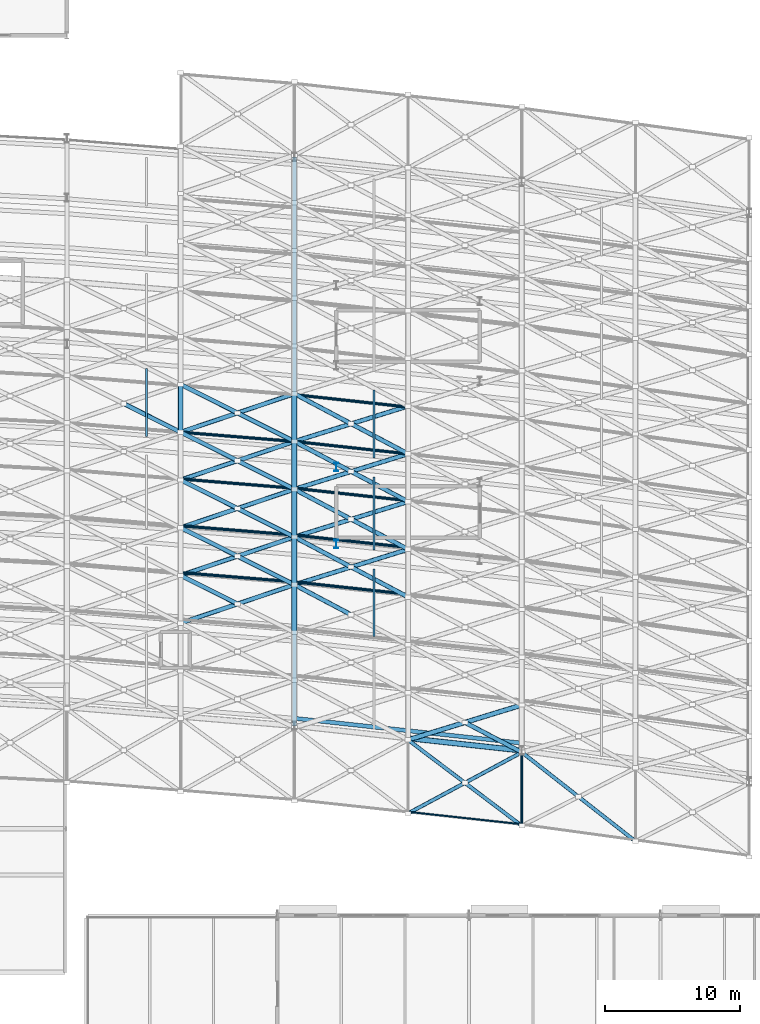
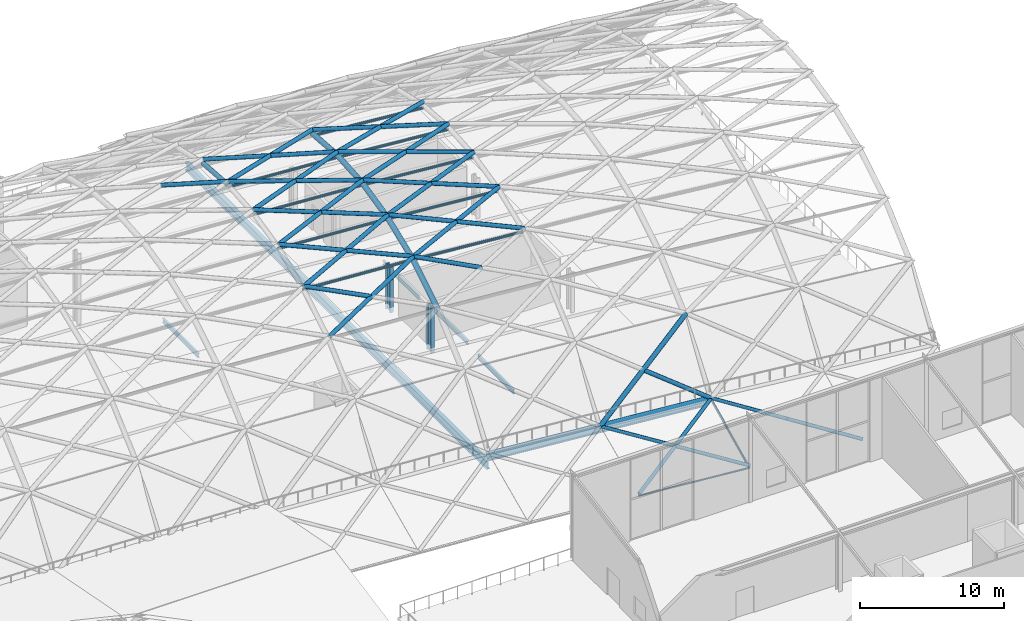
# One storey, part 52 of 100: 55 members, 6 beams.
"""IFC4 building model written with IfcOpenShell, lengths in metres."""

from ifc_helpers import new_model, si_unit, direction, frame, origin, origin_2d, place, context, subcontext, project, spatial, hollow_circle, i_section, extrude, material, material_profile, profile_set, type_object, element, save


model = new_model("IFC4")

# Units and contexts
model_context = context("Model", 3, precision=1e-05, world=origin(), true_north=direction((0.0, 1.0)))
body_context = subcontext(model_context, "Body", "Model", "MODEL_VIEW")
ifc_project = project(units=[si_unit("LENGTHUNIT", "METRE"), si_unit("AREAUNIT", "SQUARE_METRE"), si_unit("VOLUMEUNIT", "CUBIC_METRE"), si_unit("PLANEANGLEUNIT", "RADIAN"), si_unit("MASSUNIT", "GRAM", prefix="KILO")], contexts=[model_context])

# Site, building, storey
site_placement = place(None, origin())
site = spatial("IfcSite", under=ifc_project, at=site_placement, CompositionType="ELEMENT")
building_placement = place(site_placement, origin())
building = spatial("IfcBuilding", under=site, at=building_placement, Name="Kimbaza Rail Terminus", CompositionType="ELEMENT")
storey_placement = place(building_placement, frame((0.0, 0.0, 10.800048828125)))
storey = spatial("IfcBuildingStorey", under=building, at=storey_placement, Name="L02", CompositionType="ELEMENT", Elevation=10.800048828125)

# Beams
ifc_material_1 = material(Name="Steel S355", Category="steel")
ifc_material_profile_1 = material_profile(ifc_material_1, i_section(OverallWidth=0.300048828125, OverallDepth=0.64990234375, WebThickness=0.01611328125, FlangeThickness=0.031005859375, FilletRadius=0.027099609375, at=origin_2d()), Name="HEB 650")
ifc_profile_set_1 = profile_set([ifc_material_profile_1], Name="Steel S355")
beam_type_1 = type_object("IfcBeamType", Name="STR-BM-HEB650", PredefinedType="USERDEFINED", material=ifc_profile_set_1)
beam_1_placement = place(storey_placement, frame((172.944091796875, 52.539794921875, -0.5849609375), z_axis=(0.994106987183, -0.108403404165, 0.0), x_axis=(0.108403404165, 0.994106987183, 0.0)))
element("IfcBeam", 1, at=beam_1_placement, inside=storey, type_object=beam_type_1, Name="Viaduct Chorded Girder P1 Bay 10", ObjectType="GIRDER", PredefinedType="USERDEFINED", context=body_context, shape_type="SweptSolid", body=[
    extrude(i_section(OverallWidth=0.300048828125, OverallDepth=0.64990234375, WebThickness=0.01611328125, FlangeThickness=0.031005859375, FilletRadius=0.027099609375, at=origin_2d()), origin(), (0.0, 0.0, 1.0), 16.609619140625),
])
ifc_material_2 = material(Name="Steel S355", Category="steel")
ifc_material_profile_2 = material_profile(ifc_material_2, i_section(OverallWidth=0.300048828125, OverallDepth=0.699951171875, WebThickness=0.01708984375, FlangeThickness=0.031982421875, FilletRadius=0.027099609375, at=origin_2d()), Name="HEB 700")
ifc_profile_set_2 = profile_set([ifc_material_profile_2], Name="Steel S355")
beam_type_2 = type_object("IfcBeamType", Name="STR-BM-HEB700", PredefinedType="USERDEFINED", material=ifc_profile_set_2)
beam_2_placement = place(storey_placement, frame((172.800048828125, 52.00537109375, -0.920166015625), z_axis=(0.0, 1.0, 0.0), x_axis=(-1.0, 0.0, 0.0)))
element("IfcBeam", 2, at=beam_2_placement, inside=storey, type_object=beam_type_2, Name="Viaduct Pier Crosshead Girder VP-10", ObjectType="GIRDER", PredefinedType="USERDEFINED", context=body_context, shape_type="SweptSolid", body=[
    extrude(i_section(OverallWidth=0.300048828125, OverallDepth=0.699951171875, WebThickness=0.01708984375, FlangeThickness=0.031982421875, FilletRadius=0.027099609375, at=origin_2d()), origin(), (0.0, 0.0, 1.0), 42.0),
])
ifc_material_3 = material(Name="Steel S355", Category="steel")
ifc_material_profile_3 = material_profile(ifc_material_3, i_section(OverallWidth=0.169921875, OverallDepth=0.360107421875, WebThickness=0.008056640625, FlangeThickness=0.0126953125, FilletRadius=0.01806640625, at=origin_2d()), Name="IPE 360")
ifc_profile_set_3 = profile_set([ifc_material_profile_3], Name="Steel S355")
beam_type_3 = type_object("IfcBeamType", Name="STR-BM-IPE360", PredefinedType="JOIST", material=ifc_profile_set_3)
for number, where, z_axis, x_axis, name in (
    (3, (161.8798828125, 73.385498046875, -0.75), (0.0, 1.0, 0.0), (-1.0, 0.0, 0.0), "Viaduct Diaphragm TR34 Bay 09"),
    (4, (178.679931640625, 58.58447265625, -0.75), (0.0, 1.0, 0.0), (-1.0, 0.0, 0.0), "Viaduct Diaphragm TR12 Bay 10"),
):
    element("IfcBeam", number, at=place(storey_placement, frame(where, z_axis=z_axis, x_axis=x_axis)), inside=storey, type_object=beam_type_3, Name=name, PredefinedType="JOIST", context=body_context, shape_type="SweptSolid", body=[
        extrude(i_section(OverallWidth=0.169921875, OverallDepth=0.360107421875, WebThickness=0.008056640625, FlangeThickness=0.0126953125, FilletRadius=0.01806640625, at=origin_2d()), origin(), (0.0, 0.0, 1.0), 5.010009765625),
    ])
beam_3_placement = place(storey_placement, frame((178.679931640625, 64.984619140625, -0.43994140625), z_axis=(0.0, 1.0, 0.0), x_axis=(-1.0, 0.0, 0.0)))
element("IfcBeam", 5, at=beam_3_placement, inside=storey, type_object=beam_type_3, Name="Viaduct Diaphragm P2 Bay 10", PredefinedType="JOIST", context=body_context, shape_type="SweptSolid", body=[
    extrude(i_section(OverallWidth=0.169921875, OverallDepth=0.360107421875, WebThickness=0.008056640625, FlangeThickness=0.0126953125, FilletRadius=0.01806640625, at=origin_2d()), origin(), (0.0, 0.0, 1.0), 5.409912109375),
])
beam_4_placement = place(storey_placement, frame((178.679931640625, 71.784423828125, -0.75), z_axis=(0.0, 1.0, 0.0), x_axis=(-1.0, 0.0, 0.0)))
element("IfcBeam", 6, at=beam_4_placement, inside=storey, type_object=beam_type_3, Name="Viaduct Diaphragm TR34 Bay 10", PredefinedType="JOIST", context=body_context, shape_type="SweptSolid", body=[
    extrude(i_section(OverallWidth=0.169921875, OverallDepth=0.360107421875, WebThickness=0.008056640625, FlangeThickness=0.0126953125, FilletRadius=0.01806640625, at=origin_2d()), origin(), (0.0, 0.0, 1.0), 5.010009765625),
])

# Members
ifc_material_4 = material(Name="White painted steel S355", Category="steel")
ifc_material_profile_4 = material_profile(ifc_material_4, hollow_circle(Radius=0.06982421875, WallThickness=0.00634765625, at=origin_2d()), Name="CHS 139.7x6.3")
ifc_profile_set_4 = profile_set([ifc_material_profile_4], Name="White painted steel S355")
member_type_1 = type_object("IfcMemberType", Name="STR-MB-CHS139", PredefinedType="COLLAR", material=ifc_profile_set_4)
member_1_placement = place(storey_placement, frame((181.199951171875, 45.6474609375, -2.62744140625), z_axis=(0.994106819652, -0.108404940487, 0.0), x_axis=(0.108404940487, 0.994106819652, 0.0)))
element("IfcMember", 7, at=member_1_placement, inside=storey, type_object=member_type_1, Name="Vault lattice longitudinal purlin VR-19-VA00", PredefinedType="COLLAR", context=body_context, shape_type="SweptSolid", body=[
    extrude(hollow_circle(Radius=0.06982421875, WallThickness=0.00634765625, at=origin_2d()), origin(), (0.0, 0.0, 1.0), 8.449951171875),
])
ifc_material_5 = material(Name="White painted steel S355", Category="steel")
ifc_material_profile_5 = material_profile(ifc_material_5, hollow_circle(Radius=0.084228515625, WallThickness=0.00634765625, at=origin_2d()), Name="CHS 168.3x6.3")
ifc_profile_set_5 = profile_set([ifc_material_profile_5], Name="White painted steel S355")
member_type_2 = type_object("IfcMemberType", Name="STR-MB-CHS168", PredefinedType="RAFTER", material=ifc_profile_set_5)
member_2_placement = place(storey_placement, frame((189.60009765625, 44.72314453125, -2.609375), z_axis=(0.0, 0.901963905621, 0.431811432174), x_axis=(-1.0, 0.0, 0.0)))
element("IfcMember", 8, at=member_2_placement, inside=storey, type_object=member_type_2, Name="Vault lattice arch chord VR-20 seg 1", PredefinedType="RAFTER", context=body_context, shape_type="SweptSolid", body=[
    extrude(hollow_circle(Radius=0.084228515625, WallThickness=0.00634765625, at=origin_2d()), origin(), (0.0, 0.0, 1.0), 6.04296875),
])
ifc_material_6 = material(Name="White painted steel S355", Category="steel")
ifc_material_profile_6 = material_profile(ifc_material_6, hollow_circle(Radius=0.109619140625, WallThickness=0.008056640625, at=origin_2d()), Name="CHS 219.1x8")
ifc_profile_set_6 = profile_set([ifc_material_profile_6], Name="White painted steel S355")
member_type_3 = type_object("IfcMemberType", Name="STR-MB-CHS219", PredefinedType="PURLIN", material=ifc_profile_set_6)
for number, where, z_axis, x_axis, name in (
    (9, (164.39990234375, 63.319580078125, 10.078857421875), (0.996688689454, -0.081312092054, 0.0), (0.081312092054, 0.996688689454, 0.0), "Vault lattice longitudinal purlin VR-17-VA04"),
    (10, (164.39990234375, 66.776611328125, 11.462158203125), (0.996688689454, -0.081312092054, 0.0), (0.081312092054, 0.996688689454, 0.0), "Vault lattice longitudinal purlin VR-17-VA05"),
    (11, (164.39990234375, 70.233642578125, 12.25244140625), (0.996688689454, -0.081312092054, 0.0), (0.081312092054, 0.996688689454, 0.0), "Vault lattice longitudinal purlin VR-17-VA06"),
    (12, (164.39990234375, 73.690673828125, 12.510009765625), (0.996688689454, -0.081312092054, 0.0), (0.081312092054, 0.996688689454, 0.0), "Vault lattice longitudinal purlin VR-17-VA07"),
):
    element("IfcMember", number, at=place(storey_placement, frame(where, z_axis=z_axis, x_axis=x_axis)), inside=storey, type_object=member_type_3, Name=name, PredefinedType="PURLIN", context=body_context, shape_type="SweptSolid", body=[
        extrude(hollow_circle(Radius=0.109619140625, WallThickness=0.008056640625, at=origin_2d()), origin(), (0.0, 0.0, 1.0), 8.427978515625),
    ])
for number, where, z_axis, x_axis, name in (
    (13, (172.800048828125, 62.63427734375, 10.078857421875), (0.99410959352, -0.108379500241, 0.0), (0.108379500241, 0.99410959352, 0.0), "Vault lattice longitudinal purlin VR-18-VA04"),
    (14, (172.800048828125, 66.09130859375, 11.462158203125), (0.99410959352, -0.108379500241, 0.0), (0.108379500241, 0.99410959352, 0.0), "Vault lattice longitudinal purlin VR-18-VA05"),
    (15, (172.800048828125, 69.54833984375, 12.25244140625), (0.99410959352, -0.108379500241, 0.0), (0.108379500241, 0.99410959352, 0.0), "Vault lattice longitudinal purlin VR-18-VA06"),
    (16, (172.800048828125, 73.00537109375, 12.510009765625), (0.99410959352, -0.108379500241, 0.0), (0.108379500241, 0.99410959352, 0.0), "Vault lattice longitudinal purlin VR-18-VA07"),
    (17, (172.800048828125, 76.46240234375, 12.25244140625), (0.99410959352, -0.108379500241, 0.0), (0.108379500241, 0.99410959352, 0.0), "Vault lattice longitudinal purlin VR-18-VA08"),
):
    element("IfcMember", number, at=place(storey_placement, frame(where, z_axis=z_axis, x_axis=x_axis)), inside=storey, type_object=member_type_3, Name=name, PredefinedType="PURLIN", context=body_context, shape_type="SweptSolid", body=[
        extrude(hollow_circle(Radius=0.109619140625, WallThickness=0.008056640625, at=origin_2d()), origin(), (0.0, 0.0, 1.0), 8.44970703125),
    ])
ifc_material_7 = material(Name="White painted steel S355", Category="steel")
ifc_material_profile_7 = material_profile(ifc_material_7, hollow_circle(Radius=0.136474609375, WallThickness=0.010009765625, at=origin_2d()), Name="CHS 273x10")
ifc_profile_set_7 = profile_set([ifc_material_profile_7], Name="White painted steel S355")
member_type_4 = type_object("IfcMemberType", Name="STR-MB-CHS273", PredefinedType="STRUT", material=ifc_profile_set_7)
member_3_placement = place(storey_placement, frame((181.199951171875, 45.53173828125, -2.37255859375), z_axis=(0.853316558959, 0.458886746604, 0.24753546008), x_axis=(-0.473626557057, 0.880725771424, 0.0)))
element("IfcMember", 18, at=member_3_placement, inside=storey, type_object=member_type_4, Name="Vault lattice diagonal A VR-19-VA00", PredefinedType="STRUT", context=body_context, shape_type="SweptSolid", body=[
    extrude(hollow_circle(Radius=0.136474609375, WallThickness=0.010009765625, at=origin_2d()), origin(), (0.0, 0.0, 1.0), 9.843994140625),
])
member_4_placement = place(storey_placement, frame((189.60009765625, 44.61572265625, -2.37255859375), z_axis=(-0.77721198608, 0.587471789525, 0.225429424003), x_axis=(-0.602993133836, -0.797746376078, 0.0)))
element("IfcMember", 19, at=member_4_placement, inside=storey, type_object=member_type_4, Name="Vault lattice diagonal B1 VR-19-VA00", PredefinedType="STRUT", context=body_context, shape_type="SweptSolid", body=[
    extrude(hollow_circle(Radius=0.136474609375, WallThickness=0.010009765625, at=origin_2d()), origin(), (0.0, 0.0, 1.0), 5.404296875),
])
member_5_placement = place(storey_placement, frame((185.39990234375, 47.79052734375, -1.154296875), z_axis=(-0.77720680917, 0.587456847041, 0.225486204997), x_axis=(-0.602985929157, -0.797751821833, 0.0)))
element("IfcMember", 20, at=member_5_placement, inside=storey, type_object=member_type_4, Name="Vault lattice diagonal B2 VR-19-VA00", PredefinedType="STRUT", context=body_context, shape_type="SweptSolid", body=[
    extrude(hollow_circle(Radius=0.136474609375, WallThickness=0.010009765625, at=origin_2d()), origin(), (0.0, 0.0, 1.0), 5.40380859375),
])
for number, where, z_axis, x_axis, name in (
    (21, (198.0, 43.467041015625, -2.37255859375), (-0.767384367824, 0.601310310892, 0.222591873245), (-0.616784371104, -0.787132161432, 0.0), "Vault lattice diagonal B1 VR-20-VA00"),
    (22, (193.800048828125, 46.758056640625, -1.154296875), (-0.767376747594, 0.6013043398, 0.222634270025), (-0.616784371104, -0.787132161432, 0.0), "Vault lattice diagonal B2 VR-20-VA00"),
):
    element("IfcMember", number, at=place(storey_placement, frame(where, z_axis=z_axis, x_axis=x_axis)), inside=storey, type_object=member_type_4, Name=name, PredefinedType="STRUT", context=body_context, shape_type="SweptSolid", body=[
        extrude(hollow_circle(Radius=0.136474609375, WallThickness=0.010009765625, at=origin_2d()), origin(), (0.0, 0.0, 1.0), 5.47314453125),
    ])
ifc_material_8 = material(Name="White painted steel S355", Category="steel")
ifc_material_profile_8 = material_profile(ifc_material_8, hollow_circle(Radius=0.161865234375, WallThickness=0.010009765625, at=origin_2d()), Name="CHS 323.9x10")
ifc_profile_set_8 = profile_set([ifc_material_profile_8], Name="White painted steel S355")
member_type_5 = type_object("IfcMemberType", Name="STR-MB-CHS323", PredefinedType="STRUT", material=ifc_profile_set_8)
member_6_placement = place(storey_placement, frame((164.39990234375, 73.690673828125, 12.97998046875), z_axis=(-0.893568263696, 0.448056725144, -0.027945109915), x_axis=(-0.448231777961, -0.893917374944, 0.0)))
element("IfcMember", 23, at=member_6_placement, inside=storey, type_object=member_type_5, Name="Vault lattice diagonal B1 VR-16-VA07", PredefinedType="STRUT", context=body_context, shape_type="SweptSolid", body=[
    extrude(hollow_circle(Radius=0.161865234375, WallThickness=0.010009765625, at=origin_2d()), origin(), (0.0, 0.0, 1.0), 4.7001953125),
])
member_7_placement = place(storey_placement, frame((164.39990234375, 59.583984375, 8.350341796875), z_axis=(0.920612433411, 0.311419423736, 0.235564619518), x_axis=(-0.32043693953, 0.947269849507, 0.0)))
element("IfcMember", 24, at=member_7_placement, inside=storey, type_object=member_type_5, Name="Vault lattice diagonal A VR-17-VA03", PredefinedType="STRUT", context=body_context, shape_type="SweptSolid", body=[
    extrude(hollow_circle(Radius=0.161865234375, WallThickness=0.010009765625, at=origin_2d()), origin(), (0.0, 0.0, 1.0), 9.12451171875),
])
member_8_placement = place(storey_placement, frame((168.60009765625, 61.004638671875, 9.425048828125), z_axis=(-0.871423115081, 0.43692721406, 0.222971666623), x_axis=(-0.448210958208, -0.893927814168, 0.0)))
element("IfcMember", 25, at=member_8_placement, inside=storey, type_object=member_type_5, Name="Vault lattice diagonal B2 VR-17-VA03", PredefinedType="STRUT", context=body_context, shape_type="SweptSolid", body=[
    extrude(hollow_circle(Radius=0.161865234375, WallThickness=0.010009765625, at=origin_2d()), origin(), (0.0, 0.0, 1.0), 4.81982421875),
])
member_9_placement = place(storey_placement, frame((164.39990234375, 63.110595703125, 10.499755859375), z_axis=(0.935495232902, 0.316453890654, 0.157180165123), x_axis=(-0.32043693953, 0.947269849507, 0.0)))
element("IfcMember", 26, at=member_9_placement, inside=storey, type_object=member_type_5, Name="Vault lattice diagonal A VR-17-VA04", PredefinedType="STRUT", context=body_context, shape_type="SweptSolid", body=[
    extrude(hollow_circle(Radius=0.161865234375, WallThickness=0.010009765625, at=origin_2d()), origin(), (0.0, 0.0, 1.0), 8.979248046875),
])
member_10_placement = place(storey_placement, frame((172.800048828125, 62.425537109375, 10.499755859375), z_axis=(-0.884018365258, 0.44321678779, 0.148561128522), x_axis=(-0.448190253585, -0.893938195063, 0.0)))
element("IfcMember", 27, at=member_10_placement, inside=storey, type_object=member_type_5, Name="Vault lattice diagonal B1 VR-17-VA04", PredefinedType="STRUT", context=body_context, shape_type="SweptSolid", body=[
    extrude(hollow_circle(Radius=0.161865234375, WallThickness=0.010009765625, at=origin_2d()), origin(), (0.0, 0.0, 1.0), 4.7509765625),
])
member_11_placement = place(storey_placement, frame((168.60009765625, 64.53125, 11.20556640625), z_axis=(-0.884016206804, 0.443241327592, 0.148500746202), x_axis=(-0.448210958208, -0.893927814168, 0.0)))
element("IfcMember", 28, at=member_11_placement, inside=storey, type_object=member_type_5, Name="Vault lattice diagonal B2 VR-17-VA04", PredefinedType="STRUT", context=body_context, shape_type="SweptSolid", body=[
    extrude(hollow_circle(Radius=0.161865234375, WallThickness=0.010009765625, at=origin_2d()), origin(), (0.0, 0.0, 1.0), 4.751220703125),
])
member_12_placement = place(storey_placement, frame((164.39990234375, 66.63720703125, 11.9111328125), z_axis=(0.943379667265, 0.319120991289, 0.090535055695), x_axis=(-0.32043693953, 0.947269849507, 0.0)))
element("IfcMember", 29, at=member_12_placement, inside=storey, type_object=member_type_5, Name="Vault lattice diagonal A VR-17-VA05", PredefinedType="STRUT", context=body_context, shape_type="SweptSolid", body=[
    extrude(hollow_circle(Radius=0.161865234375, WallThickness=0.010009765625, at=origin_2d()), origin(), (0.0, 0.0, 1.0), 8.904296875),
])
member_13_placement = place(storey_placement, frame((172.800048828125, 65.9521484375, 11.9111328125), z_axis=(-0.890645786714, 0.446591324548, 0.085476730446), x_axis=(-0.448231777961, -0.893917374944, 0.0)))
element("IfcMember", 30, at=member_13_placement, inside=storey, type_object=member_type_5, Name="Vault lattice diagonal B1 VR-17-VA05", PredefinedType="STRUT", context=body_context, shape_type="SweptSolid", body=[
    extrude(hollow_circle(Radius=0.161865234375, WallThickness=0.010009765625, at=origin_2d()), origin(), (0.0, 0.0, 1.0), 4.715576171875),
])
member_14_placement = place(storey_placement, frame((168.60009765625, 68.05810546875, 12.314208984375), z_axis=(-0.890656489984, 0.446570732539, 0.085472789175), x_axis=(-0.448210958208, -0.893927814168, 0.0)))
element("IfcMember", 31, at=member_14_placement, inside=storey, type_object=member_type_5, Name="Vault lattice diagonal B2 VR-17-VA05", PredefinedType="STRUT", context=body_context, shape_type="SweptSolid", body=[
    extrude(hollow_circle(Radius=0.161865234375, WallThickness=0.010009765625, at=origin_2d()), origin(), (0.0, 0.0, 1.0), 4.7158203125),
])
member_15_placement = place(storey_placement, frame((164.39990234375, 70.1640625, 12.71728515625), z_axis=(0.946862823962, 0.320271733812, 0.029610962844), x_axis=(-0.320412234802, 0.94727820612, 0.0)))
element("IfcMember", 32, at=member_15_placement, inside=storey, type_object=member_type_5, Name="Vault lattice diagonal A VR-17-VA06", PredefinedType="STRUT", context=body_context, shape_type="SweptSolid", body=[
    extrude(hollow_circle(Radius=0.161865234375, WallThickness=0.010009765625, at=origin_2d()), origin(), (0.0, 0.0, 1.0), 8.87158203125),
])
member_16_placement = place(storey_placement, frame((172.800048828125, 69.478759765625, 12.71728515625), z_axis=(-0.893568263696, 0.448056725144, 0.027945109915), x_axis=(-0.448231777961, -0.893917374944, 0.0)))
element("IfcMember", 33, at=member_16_placement, inside=storey, type_object=member_type_5, Name="Vault lattice diagonal B1 VR-17-VA06", PredefinedType="STRUT", context=body_context, shape_type="SweptSolid", body=[
    extrude(hollow_circle(Radius=0.161865234375, WallThickness=0.010009765625, at=origin_2d()), origin(), (0.0, 0.0, 1.0), 4.7001953125),
])
member_17_placement = place(storey_placement, frame((168.60009765625, 71.584716796875, 12.8486328125), z_axis=(-0.893578731256, 0.448035929773, 0.027943812917), x_axis=(-0.448210958208, -0.893927814168, 0.0)))
element("IfcMember", 34, at=member_17_placement, inside=storey, type_object=member_type_5, Name="Vault lattice diagonal B2 VR-17-VA06", PredefinedType="STRUT", context=body_context, shape_type="SweptSolid", body=[
    extrude(hollow_circle(Radius=0.161865234375, WallThickness=0.010009765625, at=origin_2d()), origin(), (0.0, 0.0, 1.0), 4.700439453125),
])
member_18_placement = place(storey_placement, frame((164.39990234375, 73.690673828125, 12.97998046875), z_axis=(0.946862823962, 0.320271733812, -0.029610962844), x_axis=(-0.320412234802, 0.94727820612, 0.0)))
element("IfcMember", 35, at=member_18_placement, inside=storey, type_object=member_type_5, Name="Vault lattice diagonal A VR-17-VA07", PredefinedType="STRUT", context=body_context, shape_type="SweptSolid", body=[
    extrude(hollow_circle(Radius=0.161865234375, WallThickness=0.010009765625, at=origin_2d()), origin(), (0.0, 0.0, 1.0), 8.87158203125),
])
member_19_placement = place(storey_placement, frame((172.800048828125, 73.00537109375, 12.97998046875), z_axis=(-0.893568263696, 0.448056725144, -0.027945109915), x_axis=(-0.448231777961, -0.893917374944, 0.0)))
element("IfcMember", 36, at=member_19_placement, inside=storey, type_object=member_type_5, Name="Vault lattice diagonal B1 VR-17-VA07", PredefinedType="STRUT", context=body_context, shape_type="SweptSolid", body=[
    extrude(hollow_circle(Radius=0.161865234375, WallThickness=0.010009765625, at=origin_2d()), origin(), (0.0, 0.0, 1.0), 4.7001953125),
])
member_20_placement = place(storey_placement, frame((168.60009765625, 75.111328125, 12.8486328125), z_axis=(-0.893578731256, 0.448035929773, -0.027943812917), x_axis=(-0.448210958208, -0.893927814168, 0.0)))
element("IfcMember", 37, at=member_20_placement, inside=storey, type_object=member_type_5, Name="Vault lattice diagonal B2 VR-17-VA07", PredefinedType="STRUT", context=body_context, shape_type="SweptSolid", body=[
    extrude(hollow_circle(Radius=0.161865234375, WallThickness=0.010009765625, at=origin_2d()), origin(), (0.0, 0.0, 1.0), 4.700439453125),
])
member_21_placement = place(storey_placement, frame((177.0, 60.2041015625, 9.425048828125), z_axis=(-0.862186503553, 0.456027146186, 0.220621111936), x_axis=(-0.467547714731, -0.883967835642, 0.0)))
element("IfcMember", 38, at=member_21_placement, inside=storey, type_object=member_type_5, Name="Vault lattice diagonal B2 VR-18-VA03", PredefinedType="STRUT", context=body_context, shape_type="SweptSolid", body=[
    extrude(hollow_circle(Radius=0.161865234375, WallThickness=0.010009765625, at=origin_2d()), origin(), (0.0, 0.0, 1.0), 4.871337890625),
])
member_22_placement = place(storey_placement, frame((172.800048828125, 62.425537109375, 10.499755859375), z_axis=(0.942883878905, 0.29303776426, 0.158426196127), x_axis=(-0.296785926517, 0.95494403701, 0.0)))
element("IfcMember", 39, at=member_22_placement, inside=storey, type_object=member_type_5, Name="Vault lattice diagonal A VR-18-VA04", PredefinedType="STRUT", context=body_context, shape_type="SweptSolid", body=[
    extrude(hollow_circle(Radius=0.161865234375, WallThickness=0.010009765625, at=origin_2d()), origin(), (0.0, 0.0, 1.0), 8.90869140625),
])
member_23_placement = place(storey_placement, frame((181.199951171875, 61.509521484375, 10.499755859375), z_axis=(-0.874393256877, 0.462432706567, 0.146943609), x_axis=(-0.467507561467, -0.883989072314, 0.0)))
element("IfcMember", 40, at=member_23_placement, inside=storey, type_object=member_type_5, Name="Vault lattice diagonal B1 VR-18-VA04", PredefinedType="STRUT", context=body_context, shape_type="SweptSolid", body=[
    extrude(hollow_circle(Radius=0.161865234375, WallThickness=0.010009765625, at=origin_2d()), origin(), (0.0, 0.0, 1.0), 4.80322265625),
])
member_24_placement = place(storey_placement, frame((177.0, 63.730712890625, 11.20556640625), z_axis=(-0.874379233478, 0.462476117271, 0.146890425202), x_axis=(-0.467547714731, -0.883967835642, 0.0)))
element("IfcMember", 41, at=member_24_placement, inside=storey, type_object=member_type_5, Name="Vault lattice diagonal B2 VR-18-VA04", PredefinedType="STRUT", context=body_context, shape_type="SweptSolid", body=[
    extrude(hollow_circle(Radius=0.161865234375, WallThickness=0.010009765625, at=origin_2d()), origin(), (0.0, 0.0, 1.0), 4.803466796875),
])
member_25_placement = place(storey_placement, frame((172.800048828125, 65.9521484375, 11.9111328125), z_axis=(0.950958707878, 0.295547330795, 0.091265059972), x_axis=(-0.296785926517, 0.95494403701, 0.0)))
element("IfcMember", 42, at=member_25_placement, inside=storey, type_object=member_type_5, Name="Vault lattice diagonal A VR-18-VA05", PredefinedType="STRUT", context=body_context, shape_type="SweptSolid", body=[
    extrude(hollow_circle(Radius=0.161865234375, WallThickness=0.010009765625, at=origin_2d()), origin(), (0.0, 0.0, 1.0), 8.8330078125),
])
for number, where, z_axis, x_axis, name in (
    (43, (181.199951171875, 65.0361328125, 11.9111328125), (-0.880803892964, 0.465874244148, 0.084532187833), (-0.467547714731, -0.883967835642, 0.0), "Vault lattice diagonal B1 VR-18-VA05"),
    (44, (177.0, 67.257568359375, 12.314208984375), (-0.880824902411, 0.465834154632, 0.084534204144), (-0.467507561467, -0.883989072314, 0.0), "Vault lattice diagonal B2 VR-18-VA05"),
):
    element("IfcMember", number, at=place(storey_placement, frame(where, z_axis=z_axis, x_axis=x_axis)), inside=storey, type_object=member_type_5, Name=name, PredefinedType="STRUT", context=body_context, shape_type="SweptSolid", body=[
        extrude(hollow_circle(Radius=0.161865234375, WallThickness=0.010009765625, at=origin_2d()), origin(), (0.0, 0.0, 1.0), 4.768310546875),
    ])
member_26_placement = place(storey_placement, frame((172.800048828125, 69.478759765625, 12.71728515625), z_axis=(0.954510612477, 0.296678965582, 0.029850997472), x_axis=(-0.296811236638, 0.95493617054, 0.0)))
element("IfcMember", 45, at=member_26_placement, inside=storey, type_object=member_type_5, Name="Vault lattice diagonal A VR-18-VA06", PredefinedType="STRUT", context=body_context, shape_type="SweptSolid", body=[
    extrude(hollow_circle(Radius=0.161865234375, WallThickness=0.010009765625, at=origin_2d()), origin(), (0.0, 0.0, 1.0), 8.80029296875),
])
member_27_placement = place(storey_placement, frame((181.199951171875, 68.562744140625, 12.71728515625), z_axis=(-0.883630247857, 0.46736915801, 0.027634312233), x_axis=(-0.467547714731, -0.883967835642, 0.0)))
element("IfcMember", 46, at=member_27_placement, inside=storey, type_object=member_type_5, Name="Vault lattice diagonal B1 VR-18-VA06", PredefinedType="STRUT", context=body_context, shape_type="SweptSolid", body=[
    extrude(hollow_circle(Radius=0.161865234375, WallThickness=0.010009765625, at=origin_2d()), origin(), (0.0, 0.0, 1.0), 4.753173828125),
])
member_28_placement = place(storey_placement, frame((177.0, 70.7841796875, 12.8486328125), z_axis=(-0.883651460207, 0.467329011507, 0.02763497562), x_axis=(-0.467507561467, -0.883989072314, 0.0)))
element("IfcMember", 47, at=member_28_placement, inside=storey, type_object=member_type_5, Name="Vault lattice diagonal B2 VR-18-VA06", PredefinedType="STRUT", context=body_context, shape_type="SweptSolid", body=[
    extrude(hollow_circle(Radius=0.161865234375, WallThickness=0.010009765625, at=origin_2d()), origin(), (0.0, 0.0, 1.0), 4.7529296875),
])
member_29_placement = place(storey_placement, frame((172.800048828125, 73.00537109375, 12.97998046875), z_axis=(0.954510612477, 0.296678965582, -0.029850997472), x_axis=(-0.296811236638, 0.95493617054, 0.0)))
element("IfcMember", 48, at=member_29_placement, inside=storey, type_object=member_type_5, Name="Vault lattice diagonal A VR-18-VA07", PredefinedType="STRUT", context=body_context, shape_type="SweptSolid", body=[
    extrude(hollow_circle(Radius=0.161865234375, WallThickness=0.010009765625, at=origin_2d()), origin(), (0.0, 0.0, 1.0), 8.80029296875),
])
for number, where, z_axis, x_axis, name in (
    (49, (181.199951171875, 72.089599609375, 12.97998046875), (-0.883651460207, 0.467329011507, -0.02763497562), (-0.467507561467, -0.883989072314, 0.0), "Vault lattice diagonal B1 VR-18-VA07"),
    (50, (177.0, 74.310791015625, 12.8486328125), (-0.883651460207, 0.467329011507, -0.02763497562), (-0.467507561467, -0.883989072314, 0.0), "Vault lattice diagonal B2 VR-18-VA07"),
):
    element("IfcMember", number, at=place(storey_placement, frame(where, z_axis=z_axis, x_axis=x_axis)), inside=storey, type_object=member_type_5, Name=name, PredefinedType="STRUT", context=body_context, shape_type="SweptSolid", body=[
        extrude(hollow_circle(Radius=0.161865234375, WallThickness=0.010009765625, at=origin_2d()), origin(), (0.0, 0.0, 1.0), 4.7529296875),
    ])
member_30_placement = place(storey_placement, frame((189.60009765625, 50.049072265625, 0.064208984375), z_axis=(-0.779835419329, 0.409137089913, 0.473775854617), x_axis=(-0.464587742709, -0.885527091243, 0.0)))
element("IfcMember", 51, at=member_30_placement, inside=storey, type_object=member_type_5, Name="Vault lattice diagonal B1 VR-19-VA01", PredefinedType="STRUT", context=body_context, shape_type="SweptSolid", body=[
    extrude(hollow_circle(Radius=0.161865234375, WallThickness=0.010009765625, at=origin_2d()), origin(), (0.0, 0.0, 1.0), 5.385986328125),
])
ifc_material_9 = material(Name="White painted steel S355", Category="steel")
ifc_material_profile_9 = material_profile(ifc_material_9, hollow_circle(Radius=0.177734375, WallThickness=0.012451171875, at=origin_2d()), Name="CHS 355.6x12.5")
ifc_profile_set_9 = profile_set([ifc_material_profile_9], Name="White painted steel S355")
member_type_6 = type_object("IfcMemberType", Name="STR-MB-CHS355", PredefinedType="CHORD", material=ifc_profile_set_9)
member_31_placement = place(storey_placement, frame((164.39990234375, 73.690673828125, 12.679931640625), z_axis=(0.0, 0.997239447362, -0.074252842537), x_axis=(-1.0, 0.0, 0.0)))
element("IfcMember", 52, at=member_31_placement, inside=storey, type_object=member_type_6, Name="Vault lattice arch chord VR-17 seg 8", PredefinedType="CHORD", context=body_context, shape_type="SweptSolid", body=[
    extrude(hollow_circle(Radius=0.177734375, WallThickness=0.012451171875, at=origin_2d()), origin(), (0.0, 0.0, 1.0), 3.49169921875),
])
member_32_placement = place(storey_placement, frame((181.199951171875, 50.965087890625, 0.064208984375), z_axis=(0.826728554664, 0.253446472944, 0.502279585744), x_axis=(-0.293101568132, 0.9560813097, 0.0)))
element("IfcMember", 53, at=member_32_placement, inside=storey, type_object=member_type_6, Name="Vault lattice diagonal A VR-19-VA01", PredefinedType="CHORD", context=body_context, shape_type="SweptSolid", body=[
    extrude(hollow_circle(Radius=0.177734375, WallThickness=0.012451171875, at=origin_2d()), origin(), (0.0, 0.0, 1.0), 10.16064453125),
])
ifc_material_10 = material(Name="White painted steel S355", Category="steel")
ifc_material_profile_10 = material_profile(ifc_material_10, hollow_circle(Radius=0.203125, WallThickness=0.01416015625, at=origin_2d()), Name="CHS 406.4x14.2")
ifc_profile_set_10 = profile_set([ifc_material_profile_10], Name="White painted steel S355")
member_type_7 = type_object("IfcMemberType", Name="STR-MB-CHS406", PredefinedType="CHORD", material=ifc_profile_set_10)
member_33_placement = place(storey_placement, frame((172.800048828125, 59.07666015625, 8.108642578125), z_axis=(0.0, 0.853901304322, 0.520434974302), x_axis=(-1.0, 0.0, 0.0)))
element("IfcMember", 54, at=member_33_placement, inside=storey, type_object=member_type_7, Name="Vault lattice arch chord VR-18 seg 4", PredefinedType="CHORD", context=body_context, shape_type="SweptSolid", body=[
    extrude(hollow_circle(Radius=0.203125, WallThickness=0.01416015625, at=origin_2d()), origin(), (0.0, 0.0, 1.0), 4.077880859375),
])
member_34_placement = place(storey_placement, frame((172.800048828125, 62.558837890625, 10.23095703125), z_axis=(0.0, 0.928413829694, 0.37154779078), x_axis=(-1.0, 0.0, 0.0)))
element("IfcMember", 55, at=member_34_placement, inside=storey, type_object=member_type_7, Name="Vault lattice arch chord VR-18 seg 5", PredefinedType="CHORD", context=body_context, shape_type="SweptSolid", body=[
    extrude(hollow_circle(Radius=0.203125, WallThickness=0.01416015625, at=origin_2d()), origin(), (0.0, 0.0, 1.0), 3.750732421875),
])
member_35_placement = place(storey_placement, frame((172.800048828125, 66.041015625, 11.62451171875), z_axis=(0.0, 0.974845354939, 0.22288233208), x_axis=(-1.0, 0.0, 0.0)))
element("IfcMember", 56, at=member_35_placement, inside=storey, type_object=member_type_7, Name="Vault lattice arch chord VR-18 seg 6", PredefinedType="CHORD", context=body_context, shape_type="SweptSolid", body=[
    extrude(hollow_circle(Radius=0.203125, WallThickness=0.01416015625, at=origin_2d()), origin(), (0.0, 0.0, 1.0), 3.572021484375),
])
for number, where, z_axis, x_axis, name in (
    (57, (172.800048828125, 69.523193359375, 12.420654296875), (0.0, 0.997239447362, 0.074252842537), (-1.0, 0.0, 0.0), "Vault lattice arch chord VR-18 seg 7"),
    (58, (172.800048828125, 73.00537109375, 12.679931640625), (0.0, 0.997239447362, -0.074252842537), (-1.0, 0.0, 0.0), "Vault lattice arch chord VR-18 seg 8"),
):
    element("IfcMember", number, at=place(storey_placement, frame(where, z_axis=z_axis, x_axis=x_axis)), inside=storey, type_object=member_type_7, Name=name, PredefinedType="CHORD", context=body_context, shape_type="SweptSolid", body=[
        extrude(hollow_circle(Radius=0.203125, WallThickness=0.01416015625, at=origin_2d()), origin(), (0.0, 0.0, 1.0), 3.49169921875),
    ])
member_36_placement = place(storey_placement, frame((181.199951171875, 51.089599609375, 0.0), z_axis=(0.994106819652, -0.108404940487, 0.0), x_axis=(0.108404940487, 0.994106819652, 0.0)))
element("IfcMember", 59, at=member_36_placement, inside=storey, type_object=member_type_7, Name="Vault lattice springing ring chord VR-19", PredefinedType="CHORD", context=body_context, shape_type="SweptSolid", body=[
    extrude(hollow_circle(Radius=0.203125, WallThickness=0.01416015625, at=origin_2d()), origin(), (0.0, 0.0, 1.0), 8.449951171875),
])
ifc_material_11 = material(Name="Steel S355", Category="steel")
ifc_material_profile_11 = material_profile(ifc_material_11, i_section(OverallWidth=0.304931640625, OverallDepth=0.6201171875, WebThickness=0.02099609375, FlangeThickness=0.0400390625, FilletRadius=0.027099609375, at=origin_2d()), Name="HEM 600")
ifc_profile_set_11 = profile_set([ifc_material_profile_11], Name="Steel S355")
member_type_8 = type_object("IfcMemberType", Name="STR-MB-HEM600", PredefinedType="POST", material=ifc_profile_set_11)
for number, where, z_axis, x_axis, name in (
    (60, (175.89990234375, 65.41748046875, -0.449951171875), (0.0, 0.0, 1.0), (1.0, 0.0, 0.0), "Island Platform 2-3 Air-Conditioned Waiting Lounge 10 Corner Post 1"),
    (61, (175.89990234375, 71.117431640625, -0.449951171875), (0.0, 0.0, 1.0), (1.0, 0.0, 0.0), "Island Platform 2-3 Air-Conditioned Waiting Lounge 10 Corner Post 4"),
):
    element("IfcMember", number, at=place(storey_placement, frame(where, z_axis=z_axis, x_axis=x_axis)), inside=storey, type_object=member_type_8, Name=name, PredefinedType="POST", context=body_context, shape_type="SweptSolid", body=[
        extrude(i_section(OverallWidth=0.304931640625, OverallDepth=0.6201171875, WebThickness=0.02099609375, FlangeThickness=0.0400390625, FilletRadius=0.027099609375, at=origin_2d()), origin(), (0.0, 0.0, 1.0), 3.869873046875),
    ])

save(model, "model.ifc")
